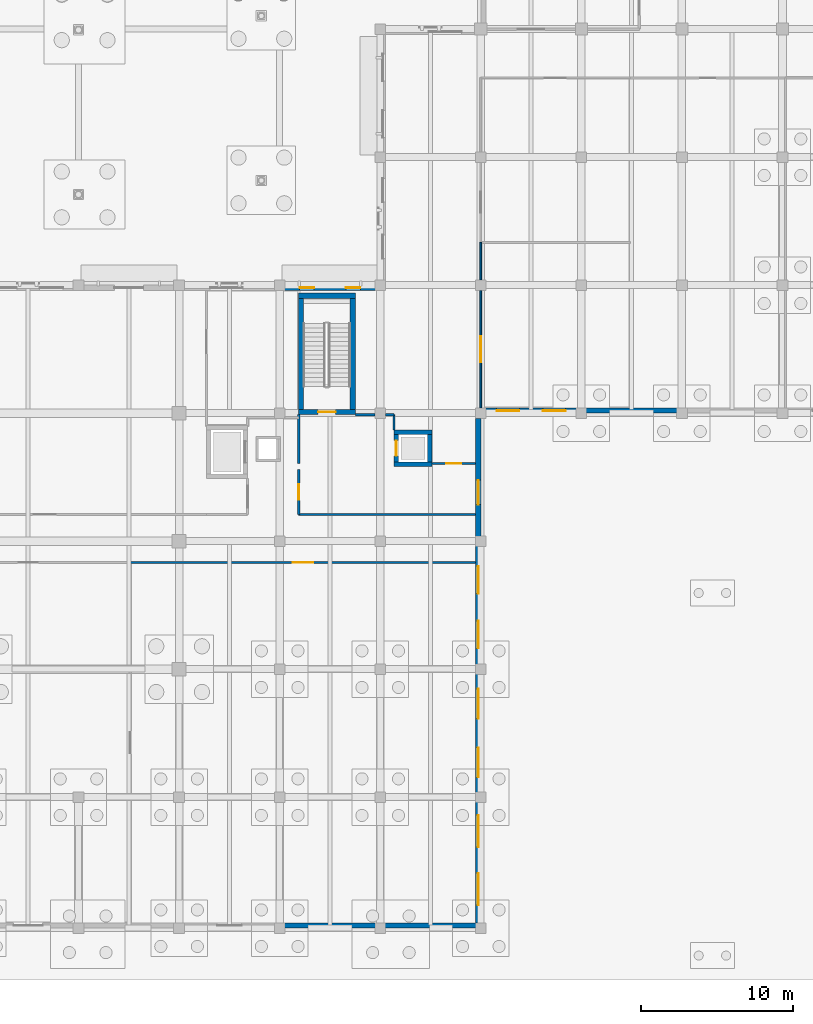
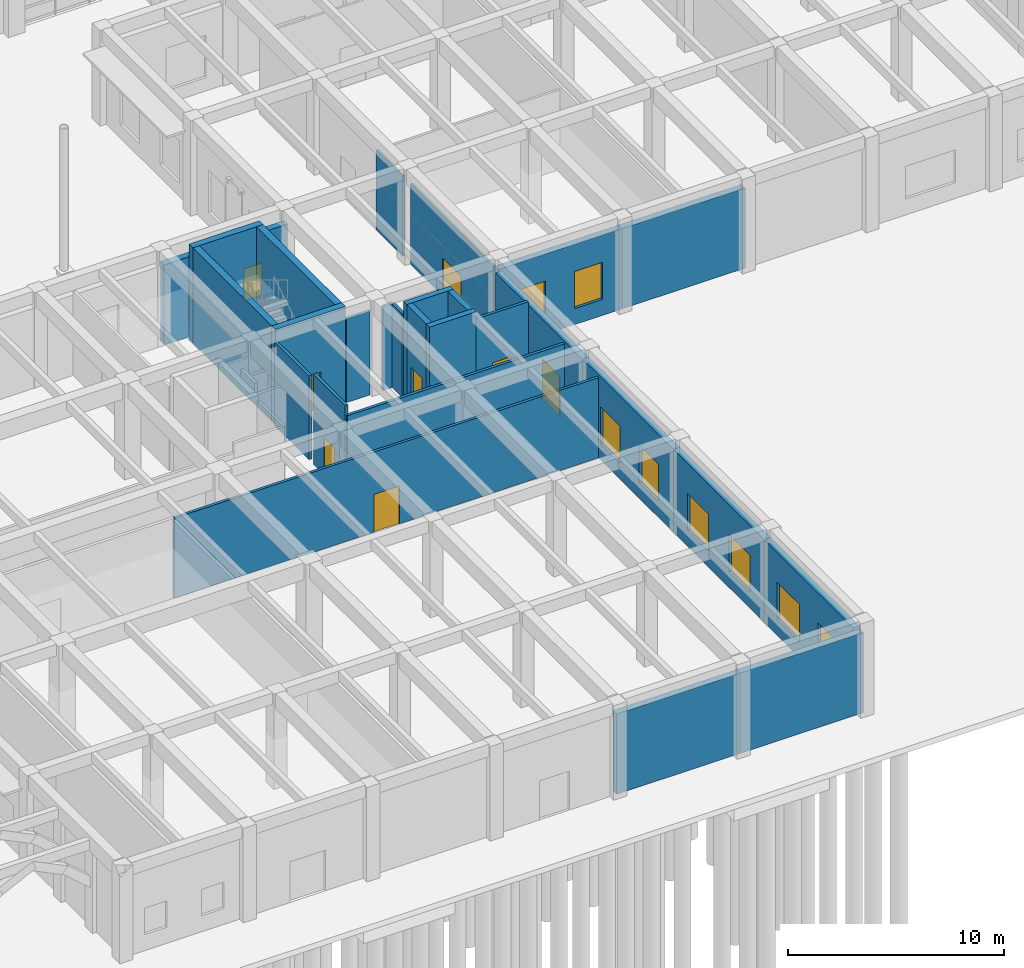
# One storey, part 59 of 82: 27 walls, 10 windows, 7 doors, 17 openings.
"""IFC4 building model written with IfcOpenShell, lengths in metres."""

from ifc_helpers import new_model, si_unit, direction, frame, frame_2d, origin, place, context, subcontext, project, spatial, rectangle, extrude, material, layer, layer_set, type_object, element, fill, save


model = new_model("IFC4")

# Units and contexts
model_context = context("Model", 3, precision=1e-05, world=origin(), true_north=direction((0.0, 1.0)))
body_context = subcontext(model_context, "Body", "Model", "MODEL_VIEW")
ifc_project = project(units=[si_unit("LENGTHUNIT", "METRE"), si_unit("AREAUNIT", "SQUARE_METRE"), si_unit("VOLUMEUNIT", "CUBIC_METRE"), si_unit("PLANEANGLEUNIT", "RADIAN"), si_unit("MASSUNIT", "GRAM", prefix="KILO")], contexts=[model_context])

# Site, building, storey
site_placement = place(None, origin())
site = spatial("IfcSite", under=ifc_project, at=site_placement, CompositionType="ELEMENT")
building_placement = place(site_placement, origin())
building = spatial("IfcBuilding", under=site, at=building_placement, Name="Kolvaren Faculty of Natural Sciences", CompositionType="ELEMENT")
storey_placement = place(building_placement, origin())
storey = spatial("IfcBuildingStorey", under=building, at=storey_placement, Name="L00", CompositionType="ELEMENT", Elevation=0.0)

# Wall, opening, door
ifc_material_1 = material(Name="Acoustic mineral-wool insulated gypsum partition")
ifc_layer_1 = layer(ifc_material_1, 0.14501953125)
ifc_layer_set_1 = layer_set([ifc_layer_1], Name="Acoustic mineral-wool insulated gypsum partition")
wall_type_1 = type_object("IfcWallType", Name="CommonsPartitionWall_145", PredefinedType="PARTITIONING", material=ifc_layer_set_1)
wall_1_placement = place(storey_placement, frame((115.800048828125, 24.0, 0.0), z_axis=(0.0, 0.0, 1.0), x_axis=(1.0, 0.0, 0.0)))
wall_1 = element("IfcWall", 1, at=wall_1_placement, inside=storey, type_object=wall_type_1, Name="L00 interior partition PW-145", PredefinedType="PARTITIONING", context=body_context, shape_type="SweptSolid", body=[
    extrude(rectangle(XDim=22.657958984375, YDim=0.14501953125, at=frame_2d((11.3291015625, 0.0))), origin(), (0.0, 0.0, 1.0), 4.534912109375),
])
opening_1_placement = place(wall_1_placement, frame((10.64892578125, 0.0, 0.0)))
opening_1 = element("IfcOpeningElement", 2, at=opening_1_placement, cuts=wall_1, Name="Opening ID-26", PredefinedType="OPENING", context=body_context, shape_type="SweptSolid", body=[
    extrude(rectangle(XDim=1.360107421875, YDim=2.139892578125, at=frame_2d((0.68017578125, 1.06982421875))), frame((0.0, 0.08251953125, 0.0), z_axis=(0.0, -1.0, 0.0), x_axis=(1.0, 0.0, 0.0)), (0.0, 0.0, 1.0), 0.1650390625),
])
ifc_material_2 = material(Name="Thermally broken anodised aluminium glazed door", Category="aluminium")
door_type_1 = type_object("IfcDoorType", Name="InteriorRoomDoor_1360x2140", OperationType="DOUBLE_DOOR_SINGLE_SWING", PredefinedType="DOOR", material=ifc_material_2)
door_1_placement = place(opening_1_placement, origin())
door_1 = element("IfcDoor", 3, at=door_1_placement, inside=storey, type_object=door_type_1, Name="D-L00-0086", OperationType="DOUBLE_DOOR_SINGLE_SWING", OverallHeight=2.139892578125, OverallWidth=1.360107421875, PredefinedType="DOOR", context=body_context, shape_type="SweptSolid", body=[
    extrude(rectangle(XDim=1.360107421875, YDim=2.139892578125, at=frame_2d((0.68017578125, 1.06982421875))), frame((0.0, 0.02490234375, 0.0), z_axis=(0.0, -1.0, 0.0), x_axis=(1.0, 0.0, 0.0)), (0.0, 0.0, 1.0), 0.050048828125),
])
fill(opening_1, door_1)

ifc_material_3 = material(Name="Concrete C40/50", Category="concrete")
ifc_layer_2 = layer(ifc_material_3, 0.35009765625)
ifc_layer_set_2 = layer_set([ifc_layer_2], Name="Concrete C40/50")
wall_type_2 = type_object("IfcWallType", Name="CoreShearWall_350", PredefinedType="SHEAR", material=ifc_layer_set_2)
wall_2_placement = place(storey_placement, frame((130.574951171875, 33.875, 0.0), z_axis=(0.0, 0.0, 1.0), x_axis=(-1.0, 0.0, 0.0)))
wall_2 = element("IfcWall", 4, at=wall_2_placement, inside=storey, type_object=wall_type_2, Name="L00 CORE-C3 stair shear wall S", PredefinedType="SHEAR", context=body_context, shape_type="SweptSolid", body=[
    extrude(rectangle(XDim=3.75, YDim=0.35009765625, at=frame_2d((1.875, 0.0))), origin(), (0.0, 0.0, 1.0), 5.39990234375),
])
opening_2_placement = place(wall_2_placement, frame((1.300048828125, 0.0, 0.0)))
opening_2 = element("IfcOpeningElement", 5, at=opening_2_placement, cuts=wall_2, Name="Opening FD90", PredefinedType="OPENING", context=body_context, shape_type="SweptSolid", body=[
    extrude(rectangle(XDim=1.14990234375, YDim=2.14990234375, at=frame_2d((0.574951171875, 1.074951171875))), frame((0.0, 0.18505859375, 0.0), z_axis=(0.0, -1.0, 0.0), x_axis=(1.0, 0.0, 0.0)), (0.0, 0.0, 1.0), 0.3701171875),
])
ifc_material_4 = material(Name="Fire-rated solid-core hardwood door leaf in steel frame", Category="steel")
door_type_2 = type_object("IfcDoorType", Name="StairCoreFireDoor_1150x2150", OperationType="NOTDEFINED", PredefinedType="DOOR", material=ifc_material_4)
door_2_placement = place(opening_2_placement, origin())
door_2 = element("IfcDoor", 6, at=door_2_placement, inside=storey, type_object=door_type_2, Name="D-ST-ST-3-L00", OperationType="SINGLE_SWING_RIGHT", OverallHeight=2.14990234375, OverallWidth=1.14990234375, PredefinedType="DOOR", context=body_context, shape_type="SweptSolid", body=[
    extrude(rectangle(XDim=1.14990234375, YDim=2.14990234375, at=frame_2d((0.574951171875, 1.074951171875))), frame((0.0, 0.02490234375, 0.0), z_axis=(0.0, -1.0, 0.0), x_axis=(1.0, 0.0, 0.0)), (0.0, 0.0, 1.0), 0.050048828125),
])
fill(opening_2, door_2)

# Walls
wall_3_placement = place(storey_placement, frame((126.824951171875, 41.5, 0.0), z_axis=(0.0, 0.0, 1.0), x_axis=(1.0, 0.0, 0.0)))
element("IfcWall", 7, at=wall_3_placement, inside=storey, type_object=wall_type_2, Name="L00 CORE-C3 stair shear wall N", PredefinedType="SHEAR", context=body_context, shape_type="SweptSolid", body=[
    extrude(rectangle(XDim=3.75, YDim=0.35009765625, at=frame_2d((1.875, 0.0))), origin(), (0.0, 0.0, 1.0), 5.39990234375),
])
for number, where, z_axis, x_axis, name in (
    (8, (127.0, 34.050048828125, 0.0), (0.0, 0.0, 1.0), (0.0, 1.0, 0.0), "L00 CORE-C3 stair shear wall W"),
    (9, (130.39990234375, 34.050048828125, 0.0), (0.0, 0.0, 1.0), (0.0, 1.0, 0.0), "L00 CORE-C3 stair shear wall E"),
):
    element("IfcWall", number, at=place(storey_placement, frame(where, z_axis=z_axis, x_axis=x_axis)), inside=storey, type_object=wall_type_2, Name=name, PredefinedType="SHEAR", context=body_context, shape_type="SweptSolid", body=[
        extrude(rectangle(XDim=7.27490234375, YDim=0.35009765625, at=frame_2d((3.637451171875, 0.0))), origin(), (0.0, 0.0, 1.0), 5.39990234375),
    ])
ifc_material_5 = material(Name="Sandstone-faced insulated cavity masonry", Category="masonry")
ifc_layer_3 = layer(ifc_material_5, 0.340087890625)
ifc_layer_set_3 = layer_set([ifc_layer_3], Name="Sandstone-faced insulated cavity masonry")
wall_type_3 = type_object("IfcWallType", Name="ExteriorCavityWall_340", PredefinedType="STANDARD", material=ifc_layer_set_3)
wall_4_placement = place(storey_placement, frame((152.0, 33.969970703125, 0.0), z_axis=(0.0, 0.0, 1.0), x_axis=(-1.0, 0.0, 0.0)))
element("IfcWall", 10, at=wall_4_placement, inside=storey, type_object=wall_type_3, Name="L00 exterior masonry wall EW-340 (127)", PredefinedType="STANDARD", context=body_context, shape_type="SweptSolid", body=[
    extrude(rectangle(XDim=6.60009765625, YDim=0.340087890625, at=frame_2d((3.300048828125, 0.0))), origin(), (0.0, 0.0, 1.0), 4.534912109375),
])

# Wall, openings, windows
wall_5_placement = place(storey_placement, frame((145.39990234375, 33.969970703125, 0.0), z_axis=(0.0, 0.0, 1.0), x_axis=(-1.0, 0.0, 0.0)))
wall_5 = element("IfcWall", 11, at=wall_5_placement, inside=storey, type_object=wall_type_3, Name="L00 exterior masonry wall EW-340 (128)", PredefinedType="STANDARD", context=body_context, shape_type="SweptSolid", body=[
    extrude(rectangle(XDim=6.599853515625, YDim=0.340087890625, at=frame_2d((3.2998046875, 0.0))), origin(), (0.0, 0.0, 1.0), 4.534912109375),
])
opening_3_placement = place(wall_5_placement, frame((1.031982421875, 0.0, 0.89990234375)))
opening_3 = element("IfcOpeningElement", 12, at=opening_3_placement, cuts=wall_5, Name="Opening WIN-03", PredefinedType="OPENING", context=body_context, shape_type="SweptSolid", body=[
    extrude(rectangle(XDim=1.5, YDim=2.10009765625, at=frame_2d((0.75, 1.050048828125))), frame((0.0, 0.179931640625, 0.0), z_axis=(0.0, -1.0, 0.0), x_axis=(1.0, 0.0, 0.0)), (0.0, 0.0, 1.0), 0.360107421875),
])
opening_4_placement = place(wall_5_placement, frame((4.068115234375, 0.0, 0.89990234375)))
opening_4 = element("IfcOpeningElement", 13, at=opening_4_placement, cuts=wall_5, Name="Opening WIN-03", PredefinedType="OPENING", context=body_context, shape_type="SweptSolid", body=[
    extrude(rectangle(XDim=1.5, YDim=2.10009765625, at=frame_2d((0.75, 1.050048828125))), frame((0.0, 0.179931640625, 0.0), z_axis=(0.0, -1.0, 0.0), x_axis=(1.0, 0.0, 0.0)), (0.0, 0.0, 1.0), 0.360107421875),
])
ifc_material_6 = material(Name="Double low-E solar control insulated glazing", Category="glass")
window_type_1 = type_object("IfcWindowType", Name="AluWindow_WIN03_1500x2100", PartitioningType="SINGLE_PANEL", PredefinedType="WINDOW", material=ifc_material_6)
window_1_placement = place(opening_3_placement, origin())
window_1 = element("IfcWindow", 14, at=window_1_placement, inside=storey, type_object=window_type_1, Name="WIN-L00-0124", OverallHeight=2.10009765625, OverallWidth=1.5, PartitioningType="SINGLE_PANEL", PredefinedType="WINDOW", context=body_context, shape_type="SweptSolid", body=[
    extrude(rectangle(XDim=1.5, YDim=2.10009765625, at=frame_2d((0.75, 1.050048828125))), frame((0.0, 0.030029296875, 0.0), z_axis=(0.0, -1.0, 0.0), x_axis=(1.0, 0.0, 0.0)), (0.0, 0.0, 1.0), 0.06005859375),
])
fill(opening_3, window_1)
window_2_placement = place(opening_4_placement, origin())
window_2 = element("IfcWindow", 15, at=window_2_placement, inside=storey, type_object=window_type_1, Name="WIN-L00-0125", OverallHeight=2.10009765625, OverallWidth=1.5, PartitioningType="SINGLE_PANEL", PredefinedType="WINDOW", context=body_context, shape_type="SweptSolid", body=[
    extrude(rectangle(XDim=1.5, YDim=2.10009765625, at=frame_2d((0.75, 1.050048828125))), frame((0.0, 0.030029296875, 0.0), z_axis=(0.0, -1.0, 0.0), x_axis=(1.0, 0.0, 0.0)), (0.0, 0.0, 1.0), 0.06005859375),
])
fill(opening_4, window_2)

# Wall, opening, door
wall_6_placement = place(storey_placement, frame((138.6298828125, 33.4599609375, 0.0), z_axis=(0.0, 0.0, 1.0), x_axis=(0.0, -1.0, 0.0)))
wall_6 = element("IfcWall", 16, at=wall_6_placement, inside=storey, type_object=wall_type_3, Name="L00 exterior masonry wall EW-340 (129)", PredefinedType="STANDARD", context=body_context, shape_type="SweptSolid", body=[
    extrude(rectangle(XDim=8.06005859375, YDim=0.340087890625, at=frame_2d((4.030029296875, 0.0))), origin(), (0.0, 0.0, 1.0), 4.68505859375),
])
opening_5_placement = place(wall_6_placement, frame((4.06005859375, 0.0, 0.0)))
opening_5 = element("IfcOpeningElement", 17, at=opening_5_placement, cuts=wall_6, Name="Opening ED-03", PredefinedType="OPENING", context=body_context, shape_type="SweptSolid", body=[
    extrude(rectangle(XDim=1.60009765625, YDim=2.199951171875, at=frame_2d((0.800048828125, 1.10009765625))), frame((0.0, 0.179931640625, 0.0), z_axis=(0.0, -1.0, 0.0), x_axis=(1.0, 0.0, 0.0)), (0.0, 0.0, 1.0), 0.360107421875),
])
ifc_material_7 = material(Name="Thermally broken anodised aluminium framing", Category="aluminium")
door_type_3 = type_object("IfcDoorType", Name="FinalExitDoubleDoor_1600x2200", OperationType="DOUBLE_DOOR_SINGLE_SWING", PredefinedType="DOOR", material=ifc_material_7)
door_3_placement = place(opening_5_placement, origin())
door_3 = element("IfcDoor", 18, at=door_3_placement, inside=storey, type_object=door_type_3, Name="D-L00-EX-03", OperationType="DOUBLE_DOOR_SINGLE_SWING", OverallHeight=2.199951171875, OverallWidth=1.60009765625, PredefinedType="DOOR", context=body_context, shape_type="SweptSolid", body=[
    extrude(rectangle(XDim=1.60009765625, YDim=2.199951171875, at=frame_2d((0.800048828125, 1.10009765625))), frame((0.0, 0.02490234375, 0.0), z_axis=(0.0, -1.0, 0.0), x_axis=(1.0, 0.0, 0.0)), (0.0, 0.0, 1.0), 0.050048828125),
])
fill(opening_5, door_3)

# Wall, openings, windows
wall_7_placement = place(storey_placement, frame((138.6298828125, 25.39990234375, 0.0), z_axis=(0.0, 0.0, 1.0), x_axis=(0.0, -1.0, 0.0)))
wall_7 = element("IfcWall", 19, at=wall_7_placement, inside=storey, type_object=wall_type_3, Name="L00 exterior masonry wall EW-340 (130)", PredefinedType="STANDARD", context=body_context, shape_type="SweptSolid", body=[
    extrude(rectangle(XDim=8.39990234375, YDim=0.340087890625, at=frame_2d((4.199951171875, 0.0))), origin(), (0.0, 0.0, 1.0), 4.68505859375),
])
opening_6_placement = place(wall_7_placement, frame((1.639892578125, 0.0, 0.89990234375)))
opening_6 = element("IfcOpeningElement", 20, at=opening_6_placement, cuts=wall_7, Name="Opening WIN-05", PredefinedType="OPENING", context=body_context, shape_type="SweptSolid", body=[
    extrude(rectangle(XDim=1.800048828125, YDim=2.10009765625, at=frame_2d((0.89990234375, 1.050048828125))), frame((0.0, 0.179931640625, 0.0), z_axis=(0.0, -1.0, 0.0), x_axis=(1.0, 0.0, 0.0)), (0.0, 0.0, 1.0), 0.360107421875),
])
opening_7_placement = place(wall_7_placement, frame((5.23193359375, 0.0, 0.89990234375)))
opening_7 = element("IfcOpeningElement", 21, at=opening_7_placement, cuts=wall_7, Name="Opening WIN-05", PredefinedType="OPENING", context=body_context, shape_type="SweptSolid", body=[
    extrude(rectangle(XDim=1.800048828125, YDim=2.10009765625, at=frame_2d((0.89990234375, 1.050048828125))), frame((0.0, 0.179931640625, 0.0), z_axis=(0.0, -1.0, 0.0), x_axis=(1.0, 0.0, 0.0)), (0.0, 0.0, 1.0), 0.360107421875),
])
window_type_2 = type_object("IfcWindowType", Name="AluWindow_WIN05_1800x2100", PartitioningType="SINGLE_PANEL", PredefinedType="WINDOW", material=ifc_material_6)
window_3_placement = place(opening_6_placement, origin())
window_3 = element("IfcWindow", 22, at=window_3_placement, inside=storey, type_object=window_type_2, Name="WIN-L00-0126", OverallHeight=2.10009765625, OverallWidth=1.800048828125, PartitioningType="SINGLE_PANEL", PredefinedType="WINDOW", context=body_context, shape_type="SweptSolid", body=[
    extrude(rectangle(XDim=1.800048828125, YDim=2.10009765625, at=frame_2d((0.89990234375, 1.050048828125))), frame((0.0, 0.030029296875, 0.0), z_axis=(0.0, -1.0, 0.0), x_axis=(1.0, 0.0, 0.0)), (0.0, 0.0, 1.0), 0.06005859375),
])
fill(opening_6, window_3)
window_4_placement = place(opening_7_placement, origin())
window_4 = element("IfcWindow", 23, at=window_4_placement, inside=storey, type_object=window_type_2, Name="WIN-L00-0127", OverallHeight=2.10009765625, OverallWidth=1.800048828125, PartitioningType="SINGLE_PANEL", PredefinedType="WINDOW", context=body_context, shape_type="SweptSolid", body=[
    extrude(rectangle(XDim=1.800048828125, YDim=2.10009765625, at=frame_2d((0.89990234375, 1.050048828125))), frame((0.0, 0.030029296875, 0.0), z_axis=(0.0, -1.0, 0.0), x_axis=(1.0, 0.0, 0.0)), (0.0, 0.0, 1.0), 0.06005859375),
])
fill(opening_7, window_4)

wall_8_placement = place(storey_placement, frame((138.6298828125, 17.0, 0.0), z_axis=(0.0, 0.0, 1.0), x_axis=(0.0, -1.0, 0.0)))
wall_8 = element("IfcWall", 24, at=wall_8_placement, inside=storey, type_object=wall_type_3, Name="L00 exterior masonry wall EW-340 (131)", PredefinedType="STANDARD", context=body_context, shape_type="SweptSolid", body=[
    extrude(rectangle(XDim=8.39990234375, YDim=0.340087890625, at=frame_2d((4.199951171875, 0.0))), origin(), (0.0, 0.0, 1.0), 4.68505859375),
])
opening_8_placement = place(wall_8_placement, frame((1.29296875, 0.0, 0.89990234375)))
opening_8 = element("IfcOpeningElement", 25, at=opening_8_placement, cuts=wall_8, Name="Opening WIN-06", PredefinedType="OPENING", context=body_context, shape_type="SweptSolid", body=[
    extrude(rectangle(XDim=1.949951171875, YDim=2.10009765625, at=frame_2d((0.97509765625, 1.050048828125))), frame((0.0, 0.179931640625, 0.0), z_axis=(0.0, -1.0, 0.0), x_axis=(1.0, 0.0, 0.0)), (0.0, 0.0, 1.0), 0.360107421875),
])
opening_9_placement = place(wall_8_placement, frame((5.156982421875, 0.0, 0.89990234375)))
opening_9 = element("IfcOpeningElement", 26, at=opening_9_placement, cuts=wall_8, Name="Opening WIN-06", PredefinedType="OPENING", context=body_context, shape_type="SweptSolid", body=[
    extrude(rectangle(XDim=1.949951171875, YDim=2.10009765625, at=frame_2d((0.97509765625, 1.050048828125))), frame((0.0, 0.179931640625, 0.0), z_axis=(0.0, -1.0, 0.0), x_axis=(1.0, 0.0, 0.0)), (0.0, 0.0, 1.0), 0.360107421875),
])
window_type_3 = type_object("IfcWindowType", Name="AluWindow_WIN06_1950x2100", PartitioningType="SINGLE_PANEL", PredefinedType="WINDOW", material=ifc_material_6)
window_5_placement = place(opening_8_placement, origin())
window_5 = element("IfcWindow", 27, at=window_5_placement, inside=storey, type_object=window_type_3, Name="WIN-L00-0128", OverallHeight=2.10009765625, OverallWidth=1.949951171875, PartitioningType="SINGLE_PANEL", PredefinedType="WINDOW", context=body_context, shape_type="SweptSolid", body=[
    extrude(rectangle(XDim=1.949951171875, YDim=2.10009765625, at=frame_2d((0.97509765625, 1.050048828125))), frame((0.0, 0.030029296875, 0.0), z_axis=(0.0, -1.0, 0.0), x_axis=(1.0, 0.0, 0.0)), (0.0, 0.0, 1.0), 0.06005859375),
])
fill(opening_8, window_5)
window_6_placement = place(opening_9_placement, origin())
window_6 = element("IfcWindow", 28, at=window_6_placement, inside=storey, type_object=window_type_3, Name="WIN-L00-0129", OverallHeight=2.10009765625, OverallWidth=1.949951171875, PartitioningType="SINGLE_PANEL", PredefinedType="WINDOW", context=body_context, shape_type="SweptSolid", body=[
    extrude(rectangle(XDim=1.949951171875, YDim=2.10009765625, at=frame_2d((0.97509765625, 1.050048828125))), frame((0.0, 0.030029296875, 0.0), z_axis=(0.0, -1.0, 0.0), x_axis=(1.0, 0.0, 0.0)), (0.0, 0.0, 1.0), 0.06005859375),
])
fill(opening_9, window_6)

wall_9_placement = place(storey_placement, frame((138.6298828125, 8.60009765625, 0.0), z_axis=(0.0, 0.0, 1.0), x_axis=(0.0, -1.0, 0.0)))
wall_9 = element("IfcWall", 29, at=wall_9_placement, inside=storey, type_object=wall_type_3, Name="L00 exterior masonry wall EW-340 (132)", PredefinedType="STANDARD", context=body_context, shape_type="SweptSolid", body=[
    extrude(rectangle(XDim=8.260009765625, YDim=0.340087890625, at=frame_2d((4.1298828125, 0.0))), origin(), (0.0, 0.0, 1.0), 4.68505859375),
])
opening_10_placement = place(wall_9_placement, frame((1.18017578125, 0.0, 0.89990234375)))
opening_10 = element("IfcOpeningElement", 30, at=opening_10_placement, cuts=wall_9, Name="Opening WIN-07", PredefinedType="OPENING", context=body_context, shape_type="SweptSolid", body=[
    extrude(rectangle(XDim=2.10009765625, YDim=2.10009765625, at=frame_2d((1.050048828125, 1.050048828125))), frame((0.0, 0.179931640625, 0.0), z_axis=(0.0, -1.0, 0.0), x_axis=(1.0, 0.0, 0.0)), (0.0, 0.0, 1.0), 0.360107421875),
])
opening_11_placement = place(wall_9_placement, frame((4.979736328125, 0.0, 0.89990234375)))
opening_11 = element("IfcOpeningElement", 31, at=opening_11_placement, cuts=wall_9, Name="Opening WIN-07", PredefinedType="OPENING", context=body_context, shape_type="SweptSolid", body=[
    extrude(rectangle(XDim=2.10009765625, YDim=2.10009765625, at=frame_2d((1.050048828125, 1.050048828125))), frame((0.0, 0.179931640625, 0.0), z_axis=(0.0, -1.0, 0.0), x_axis=(1.0, 0.0, 0.0)), (0.0, 0.0, 1.0), 0.360107421875),
])
window_type_4 = type_object("IfcWindowType", Name="AluWindow_WIN07_2100x2100", PartitioningType="SINGLE_PANEL", PredefinedType="WINDOW", material=ifc_material_6)
window_7_placement = place(opening_10_placement, origin())
window_7 = element("IfcWindow", 32, at=window_7_placement, inside=storey, type_object=window_type_4, Name="WIN-L00-0130", OverallHeight=2.10009765625, OverallWidth=2.10009765625, PartitioningType="SINGLE_PANEL", PredefinedType="WINDOW", context=body_context, shape_type="SweptSolid", body=[
    extrude(rectangle(XDim=2.10009765625, YDim=2.10009765625, at=frame_2d((1.050048828125, 1.050048828125))), frame((0.0, 0.030029296875, 0.0), z_axis=(0.0, -1.0, 0.0), x_axis=(1.0, 0.0, 0.0)), (0.0, 0.0, 1.0), 0.06005859375),
])
fill(opening_10, window_7)
window_8_placement = place(opening_11_placement, origin())
window_8 = element("IfcWindow", 33, at=window_8_placement, inside=storey, type_object=window_type_4, Name="WIN-L00-0131", OverallHeight=2.10009765625, OverallWidth=2.10009765625, PartitioningType="SINGLE_PANEL", PredefinedType="WINDOW", context=body_context, shape_type="SweptSolid", body=[
    extrude(rectangle(XDim=2.10009765625, YDim=2.10009765625, at=frame_2d((1.050048828125, 1.050048828125))), frame((0.0, 0.030029296875, 0.0), z_axis=(0.0, -1.0, 0.0), x_axis=(1.0, 0.0, 0.0)), (0.0, 0.0, 1.0), 0.06005859375),
])
fill(opening_11, window_8)

# Walls
wall_10_placement = place(storey_placement, frame((138.800048828125, 0.169921875, 0.0), z_axis=(0.0, 0.0, 1.0), x_axis=(-1.0, 0.0, 0.0)))
element("IfcWall", 34, at=wall_10_placement, inside=storey, type_object=wall_type_3, Name="L00 exterior masonry wall EW-340 (133)", PredefinedType="STANDARD", context=body_context, shape_type="SweptSolid", body=[
    extrude(rectangle(XDim=6.60009765625, YDim=0.340087890625, at=frame_2d((3.300048828125, 0.0))), origin(), (0.0, 0.0, 1.0), 4.534912109375),
])
wall_11_placement = place(storey_placement, frame((132.199951171875, 0.169921875, 0.0), z_axis=(0.0, 0.0, 1.0), x_axis=(-1.0, 0.0, 0.0)))
element("IfcWall", 35, at=wall_11_placement, inside=storey, type_object=wall_type_3, Name="L00 exterior masonry wall EW-340 (134)", PredefinedType="STANDARD", context=body_context, shape_type="SweptSolid", body=[
    extrude(rectangle(XDim=6.599853515625, YDim=0.340087890625, at=frame_2d((3.2998046875, 0.0))), origin(), (0.0, 0.0, 1.0), 4.534912109375),
])

# Wall, openings, windows
wall_12_placement = place(storey_placement, frame((125.60009765625, 42.030029296875, 0.0), z_axis=(0.0, 0.0, 1.0), x_axis=(1.0, 0.0, 0.0)))
wall_12 = element("IfcWall", 36, at=wall_12_placement, inside=storey, type_object=wall_type_3, Name="L00 exterior masonry wall EW-340 (148)", PredefinedType="STANDARD", context=body_context, shape_type="SweptSolid", body=[
    extrude(rectangle(XDim=6.599853515625, YDim=0.340087890625, at=frame_2d((3.2998046875, 0.0))), origin(), (0.0, 0.0, 1.0), 4.534912109375),
])
opening_12_placement = place(wall_12_placement, frame((1.306884765625, 0.0, 0.89990234375)))
opening_12 = element("IfcOpeningElement", 37, at=opening_12_placement, cuts=wall_12, Name="Opening WIN-23", PredefinedType="OPENING", context=body_context, shape_type="SweptSolid", body=[
    extrude(rectangle(XDim=0.949951171875, YDim=1.800048828125, at=frame_2d((0.47509765625, 0.89990234375))), frame((0.0, 0.179931640625, 0.0), z_axis=(0.0, -1.0, 0.0), x_axis=(1.0, 0.0, 0.0)), (0.0, 0.0, 1.0), 0.360107421875),
])
opening_13_placement = place(wall_12_placement, frame((4.343017578125, 0.0, 0.89990234375)))
opening_13 = element("IfcOpeningElement", 38, at=opening_13_placement, cuts=wall_12, Name="Opening WIN-23", PredefinedType="OPENING", context=body_context, shape_type="SweptSolid", body=[
    extrude(rectangle(XDim=0.949951171875, YDim=1.800048828125, at=frame_2d((0.47509765625, 0.89990234375))), frame((0.0, 0.179931640625, 0.0), z_axis=(0.0, -1.0, 0.0), x_axis=(1.0, 0.0, 0.0)), (0.0, 0.0, 1.0), 0.360107421875),
])
window_type_5 = type_object("IfcWindowType", Name="AluWindow_WIN23_950x1800", PartitioningType="SINGLE_PANEL", PredefinedType="WINDOW", material=ifc_material_6)
window_9_placement = place(opening_12_placement, origin())
window_9 = element("IfcWindow", 39, at=window_9_placement, inside=storey, type_object=window_type_5, Name="WIN-L00-0147", OverallHeight=1.800048828125, OverallWidth=0.949951171875, PartitioningType="SINGLE_PANEL", PredefinedType="WINDOW", context=body_context, shape_type="SweptSolid", body=[
    extrude(rectangle(XDim=0.949951171875, YDim=1.800048828125, at=frame_2d((0.47509765625, 0.89990234375))), frame((0.0, 0.030029296875, 0.0), z_axis=(0.0, -1.0, 0.0), x_axis=(1.0, 0.0, 0.0)), (0.0, 0.0, 1.0), 0.06005859375),
])
fill(opening_12, window_9)
window_10_placement = place(opening_13_placement, origin())
window_10 = element("IfcWindow", 40, at=window_10_placement, inside=storey, type_object=window_type_5, Name="WIN-L00-0148", OverallHeight=1.800048828125, OverallWidth=0.949951171875, PartitioningType="SINGLE_PANEL", PredefinedType="WINDOW", context=body_context, shape_type="SweptSolid", body=[
    extrude(rectangle(XDim=0.949951171875, YDim=1.800048828125, at=frame_2d((0.47509765625, 0.89990234375))), frame((0.0, 0.030029296875, 0.0), z_axis=(0.0, -1.0, 0.0), x_axis=(1.0, 0.0, 0.0)), (0.0, 0.0, 1.0), 0.06005859375),
])
fill(opening_13, window_10)

# Walls
ifc_material_8 = material(Name="Double fire-rated gypsum board on 100 mm steel stud", Category="steel")
ifc_layer_4 = layer(ifc_material_8, 0.14990234375)
ifc_layer_set_4 = layer_set([ifc_layer_4], Name="Double fire-rated gypsum board on 100 mm steel stud")
wall_type_4 = type_object("IfcWallType", Name="RatedCorridorWall_150", PredefinedType="PARTITIONING", material=ifc_layer_set_4)
wall_13_placement = place(storey_placement, frame((126.85009765625, 30.5, 0.0), z_axis=(0.0, 0.0, 1.0), x_axis=(0.0, 1.0, 0.0)))
element("IfcWall", 41, at=wall_13_placement, inside=storey, type_object=wall_type_4, Name="L00 interior partition LW-150", PredefinedType="PARTITIONING", context=body_context, shape_type="SweptSolid", body=[
    extrude(rectangle(XDim=3.197998046875, YDim=0.14990234375, at=frame_2d((1.59912109375, 0.0))), origin(), (0.0, 0.0, 1.0), 4.735107421875),
])
wall_14_placement = place(storey_placement, frame((130.574951171875, 33.699951171875, 0.0), z_axis=(0.0, 0.0, 1.0), x_axis=(1.0, 0.0, 0.0)))
element("IfcWall", 42, at=wall_14_placement, inside=storey, type_object=wall_type_4, Name="L00 interior partition LW-150", PredefinedType="PARTITIONING", context=body_context, shape_type="SweptSolid", body=[
    extrude(rectangle(XDim=1.275146484375, YDim=0.14990234375, at=frame_2d((0.6376953125, 0.0))), origin(), (0.0, 0.0, 1.0), 4.735107421875),
])
wall_15_placement = place(storey_placement, frame((132.550048828125, 33.699951171875, 0.0), z_axis=(0.0, 0.0, 1.0), x_axis=(1.0, 0.0, 0.0)))
element("IfcWall", 43, at=wall_15_placement, inside=storey, type_object=wall_type_4, Name="L00 interior partition LW-150", PredefinedType="PARTITIONING", context=body_context, shape_type="SweptSolid", body=[
    extrude(rectangle(XDim=0.550048828125, YDim=0.14990234375, at=frame_2d((0.27490234375, 0.0))), origin(), (0.0, 0.0, 1.0), 4.735107421875),
])
wall_16_placement = place(storey_placement, frame((133.10009765625, 33.699951171875, 0.0), z_axis=(0.0, 0.0, 1.0), x_axis=(0.0, -1.0, 0.0)))
element("IfcWall", 44, at=wall_16_placement, inside=storey, type_object=wall_type_4, Name="L00 interior partition LW-150", PredefinedType="PARTITIONING", context=body_context, shape_type="SweptSolid", body=[
    extrude(rectangle(XDim=0.998046875, YDim=0.14990234375, at=frame_2d((0.4990234375, 0.0))), origin(), (0.0, 0.0, 1.0), 4.735107421875),
])

# Wall, opening, door
wall_17_placement = place(storey_placement, frame((135.60009765625, 30.5, 0.0), z_axis=(0.0, 0.0, 1.0), x_axis=(1.0, 0.0, 0.0)))
wall_17 = element("IfcWall", 45, at=wall_17_placement, inside=storey, type_object=wall_type_4, Name="L00 interior partition LW-150", PredefinedType="PARTITIONING", context=body_context, shape_type="SweptSolid", body=[
    extrude(rectangle(XDim=2.85791015625, YDim=0.14990234375, at=frame_2d((1.428955078125, 0.0))), origin(), (0.0, 0.0, 1.0), 4.885009765625),
])
opening_14_placement = place(wall_17_placement, frame((0.928955078125, 0.0, 0.0)))
opening_14 = element("IfcOpeningElement", 46, at=opening_14_placement, cuts=wall_17, Name="Opening FD30", PredefinedType="OPENING", context=body_context, shape_type="SweptSolid", body=[
    extrude(rectangle(XDim=1.0, YDim=2.10009765625, at=frame_2d((0.5, 1.050048828125))), frame((0.0, 0.0849609375, 0.0), z_axis=(0.0, -1.0, 0.0), x_axis=(1.0, 0.0, 0.0)), (0.0, 0.0, 1.0), 0.169921875),
])
door_type_4 = type_object("IfcDoorType", Name="CorridorFireDoor_1000x2100", OperationType="NOTDEFINED", PredefinedType="DOOR", material=ifc_material_4)
door_4_placement = place(opening_14_placement, origin())
door_4 = element("IfcDoor", 47, at=door_4_placement, inside=storey, type_object=door_type_4, Name="D-L00-0029", OperationType="SINGLE_SWING_RIGHT", OverallHeight=2.10009765625, OverallWidth=1.0, PredefinedType="DOOR", context=body_context, shape_type="SweptSolid", body=[
    extrude(rectangle(XDim=1.0, YDim=2.10009765625, at=frame_2d((0.5, 1.050048828125))), frame((0.0, 0.02490234375, 0.0), z_axis=(0.0, -1.0, 0.0), x_axis=(1.0, 0.0, 0.0)), (0.0, 0.0, 1.0), 0.050048828125),
])
fill(opening_14, door_4)

# Wall
wall_18_placement = place(storey_placement, frame((138.4580078125, 27.14990234375, 0.0), z_axis=(0.0, 0.0, 1.0), x_axis=(-1.0, 0.0, 0.0)))
element("IfcWall", 48, at=wall_18_placement, inside=storey, type_object=wall_type_4, Name="L00 interior partition LW-150", PredefinedType="PARTITIONING", context=body_context, shape_type="SweptSolid", body=[
    extrude(rectangle(XDim=11.60791015625, YDim=0.14990234375, at=frame_2d((5.803955078125, 0.0))), origin(), (0.0, 0.0, 1.0), 4.534912109375),
])

# Wall, opening, door
wall_19_placement = place(storey_placement, frame((126.85009765625, 27.14990234375, 0.0), z_axis=(0.0, 0.0, 1.0), x_axis=(0.0, 1.0, 0.0)))
wall_19 = element("IfcWall", 49, at=wall_19_placement, inside=storey, type_object=wall_type_4, Name="L00 interior partition LW-150", PredefinedType="PARTITIONING", context=body_context, shape_type="SweptSolid", body=[
    extrude(rectangle(XDim=2.9501953125, YDim=0.14990234375, at=frame_2d((1.47509765625, 0.0))), origin(), (0.0, 0.0, 1.0), 5.094970703125),
])
opening_15_placement = place(wall_19_placement, frame((0.97509765625, 0.0, 0.0)))
opening_15 = element("IfcOpeningElement", 50, at=opening_15_placement, cuts=wall_19, Name="Opening FD30", PredefinedType="OPENING", context=body_context, shape_type="SweptSolid", body=[
    extrude(rectangle(XDim=1.0, YDim=2.10009765625, at=frame_2d((0.5, 1.050048828125))), frame((0.0, 0.0849609375, 0.0), z_axis=(0.0, -1.0, 0.0), x_axis=(1.0, 0.0, 0.0)), (0.0, 0.0, 1.0), 0.169921875),
])
door_5_placement = place(opening_15_placement, origin())
door_5 = element("IfcDoor", 51, at=door_5_placement, inside=storey, type_object=door_type_4, Name="D-L00-0030", OperationType="SINGLE_SWING_LEFT", OverallHeight=2.10009765625, OverallWidth=1.0, PredefinedType="DOOR", context=body_context, shape_type="SweptSolid", body=[
    extrude(rectangle(XDim=1.0, YDim=2.10009765625, at=frame_2d((0.5, 1.050048828125))), frame((0.0, 0.02490234375, 0.0), z_axis=(0.0, -1.0, 0.0), x_axis=(1.0, 0.0, 0.0)), (0.0, 0.0, 1.0), 0.050048828125),
])
fill(opening_15, door_5)

# Walls
ifc_layer_5 = layer(ifc_material_3, 0.300048828125)
ifc_layer_set_5 = layer_set([ifc_layer_5], Name="Concrete C40/50")
wall_type_5 = type_object("IfcWallType", Name="ShaftShearWall_300", PredefinedType="SHEAR", material=ifc_layer_set_5)
for number, where, z_axis, x_axis, name in (
    (52, (133.10009765625, 30.449951171875, 0.0), (0.0, 0.0, 1.0), (1.0, 0.0, 0.0), "L00 lift PL-3 shaft wall S"),
    (53, (133.10009765625, 32.550048828125, 0.0), (0.0, 0.0, 1.0), (1.0, 0.0, 0.0), "L00 lift PL-3 shaft wall N"),
):
    element("IfcWall", number, at=place(storey_placement, frame(where, z_axis=z_axis, x_axis=x_axis)), inside=storey, type_object=wall_type_5, Name=name, PredefinedType="SHEAR", context=body_context, shape_type="SweptSolid", body=[
        extrude(rectangle(XDim=2.5, YDim=0.300048828125, at=frame_2d((1.25, 0.0))), origin(), (0.0, 0.0, 1.0), 5.39990234375),
    ])

# Wall, opening, door
wall_20_placement = place(storey_placement, frame((133.25, 30.60009765625, 0.0), z_axis=(0.0, 0.0, 1.0), x_axis=(0.0, 1.0, 0.0)))
wall_20 = element("IfcWall", 54, at=wall_20_placement, inside=storey, type_object=wall_type_5, Name="L00 lift PL-3 shaft wall W", PredefinedType="SHEAR", context=body_context, shape_type="SweptSolid", body=[
    extrude(rectangle(XDim=1.7998046875, YDim=0.300048828125, at=frame_2d((0.89990234375, 0.0))), origin(), (0.0, 0.0, 1.0), 5.39990234375),
])
opening_16_placement = place(wall_20_placement, frame((0.39990234375, 0.0, 0.0)))
opening_16 = element("IfcOpeningElement", 55, at=opening_16_placement, cuts=wall_20, Name="Opening LD-02", PredefinedType="OPENING", context=body_context, shape_type="SweptSolid", body=[
    extrude(rectangle(XDim=1.0, YDim=2.10009765625, at=frame_2d((0.5, 1.050048828125))), frame((0.0, 0.159912109375, 0.0), z_axis=(0.0, -1.0, 0.0), x_axis=(1.0, 0.0, 0.0)), (0.0, 0.0, 1.0), 0.320068359375),
])
ifc_material_9 = material(Name="Brushed stainless steel lift car and sliding door assembly", Category="steel")
door_type_5 = type_object("IfcDoorType", Name="LiftLandingSliding_1000x2100", OperationType="SLIDING_TO_LEFT", PredefinedType="DOOR", material=ifc_material_9)
door_6_placement = place(opening_16_placement, origin())
door_6 = element("IfcDoor", 56, at=door_6_placement, inside=storey, type_object=door_type_5, Name="D-LIFT-PL-3-L00", OperationType="SLIDING_TO_LEFT", OverallHeight=2.10009765625, OverallWidth=1.0, PredefinedType="DOOR", context=body_context, shape_type="SweptSolid", body=[
    extrude(rectangle(XDim=1.0, YDim=2.10009765625, at=frame_2d((0.5, 1.050048828125))), frame((0.0, 0.02490234375, 0.0), z_axis=(0.0, -1.0, 0.0), x_axis=(1.0, 0.0, 0.0)), (0.0, 0.0, 1.0), 0.050048828125),
])
fill(opening_16, door_6)

# Wall
wall_21_placement = place(storey_placement, frame((135.449951171875, 30.60009765625, 0.0), z_axis=(0.0, 0.0, 1.0), x_axis=(0.0, 1.0, 0.0)))
element("IfcWall", 57, at=wall_21_placement, inside=storey, type_object=wall_type_5, Name="L00 lift PL-3 shaft wall E", PredefinedType="SHEAR", context=body_context, shape_type="SweptSolid", body=[
    extrude(rectangle(XDim=1.7998046875, YDim=0.300048828125, at=frame_2d((0.89990234375, 0.0))), origin(), (0.0, 0.0, 1.0), 5.39990234375),
])

# Wall, opening, door
ifc_layer_6 = layer(ifc_material_1, 0.114990234375)
ifc_layer_set_6 = layer_set([ifc_layer_6], Name="Acoustic mineral-wool insulated gypsum partition")
wall_type_6 = type_object("IfcWallType", Name="StorePartitionWall_115", PredefinedType="PARTITIONING", material=ifc_layer_set_6)
wall_22_placement = place(storey_placement, frame((138.800048828125, 34.14990234375, 0.0), z_axis=(0.0, 0.0, 1.0), x_axis=(0.0, 1.0, 0.0)))
wall_22 = element("IfcWall", 58, at=wall_22_placement, inside=storey, type_object=wall_type_6, Name="L00 interior partition PW-115", PredefinedType="PARTITIONING", context=body_context, shape_type="SweptSolid", body=[
    extrude(rectangle(XDim=7.7001953125, YDim=0.114990234375, at=frame_2d((3.85009765625, 0.0))), origin(), (0.0, 0.0, 1.0), 4.534912109375),
])
opening_17_placement = place(wall_22_placement, frame((3.0, 0.0, 0.0)))
opening_17 = element("IfcOpeningElement", 59, at=opening_17_placement, cuts=wall_22, Name="Opening ID-30", PredefinedType="OPENING", context=body_context, shape_type="SweptSolid", body=[
    extrude(rectangle(XDim=1.699951171875, YDim=2.139892578125, at=frame_2d((0.85009765625, 1.06982421875))), frame((0.0, 0.0673828125, 0.0), z_axis=(0.0, -1.0, 0.0), x_axis=(1.0, 0.0, 0.0)), (0.0, 0.0, 1.0), 0.135009765625),
])
door_type_6 = type_object("IfcDoorType", Name="InteriorRoomDoor_1700x2140", OperationType="DOUBLE_DOOR_SINGLE_SWING", PredefinedType="DOOR", material=ifc_material_2)
door_7_placement = place(opening_17_placement, origin())
door_7 = element("IfcDoor", 60, at=door_7_placement, inside=storey, type_object=door_type_6, Name="D-L00-0092", OperationType="DOUBLE_DOOR_SINGLE_SWING", OverallHeight=2.139892578125, OverallWidth=1.699951171875, PredefinedType="DOOR", context=body_context, shape_type="SweptSolid", body=[
    extrude(rectangle(XDim=1.699951171875, YDim=2.139892578125, at=frame_2d((0.85009765625, 1.06982421875))), frame((0.0, 0.02490234375, 0.0), z_axis=(0.0, -1.0, 0.0), x_axis=(1.0, 0.0, 0.0)), (0.0, 0.0, 1.0), 0.050048828125),
])
fill(opening_17, door_7)

# Wall
wall_23_placement = place(storey_placement, frame((138.800048828125, 42.550048828125, 0.0), z_axis=(0.0, 0.0, 1.0), x_axis=(0.0, 1.0, 0.0)))
element("IfcWall", 61, at=wall_23_placement, inside=storey, type_object=wall_type_6, Name="L00 interior partition PW-115", PredefinedType="PARTITIONING", context=body_context, shape_type="SweptSolid", body=[
    extrude(rectangle(XDim=2.449951171875, YDim=0.114990234375, at=frame_2d((1.22509765625, 0.0))), origin(), (0.0, 0.0, 1.0), 4.534912109375),
])

save(model, "model.ifc")
